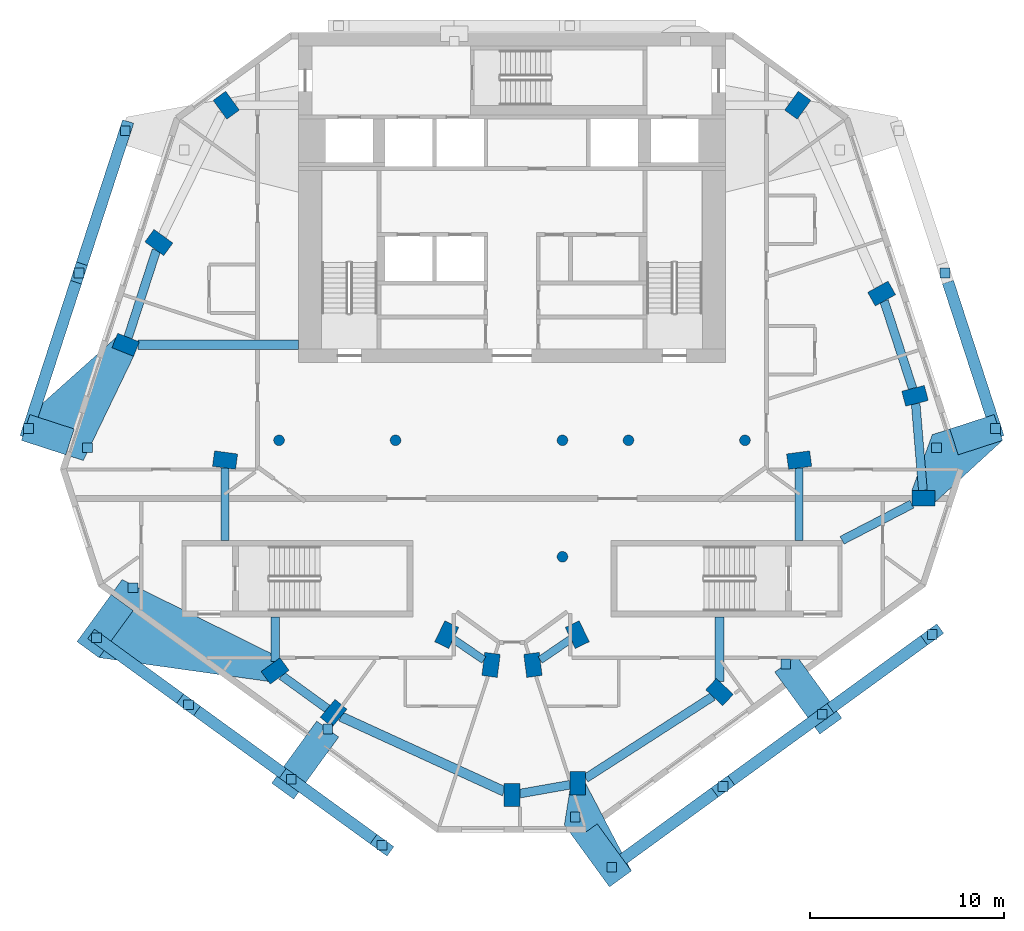
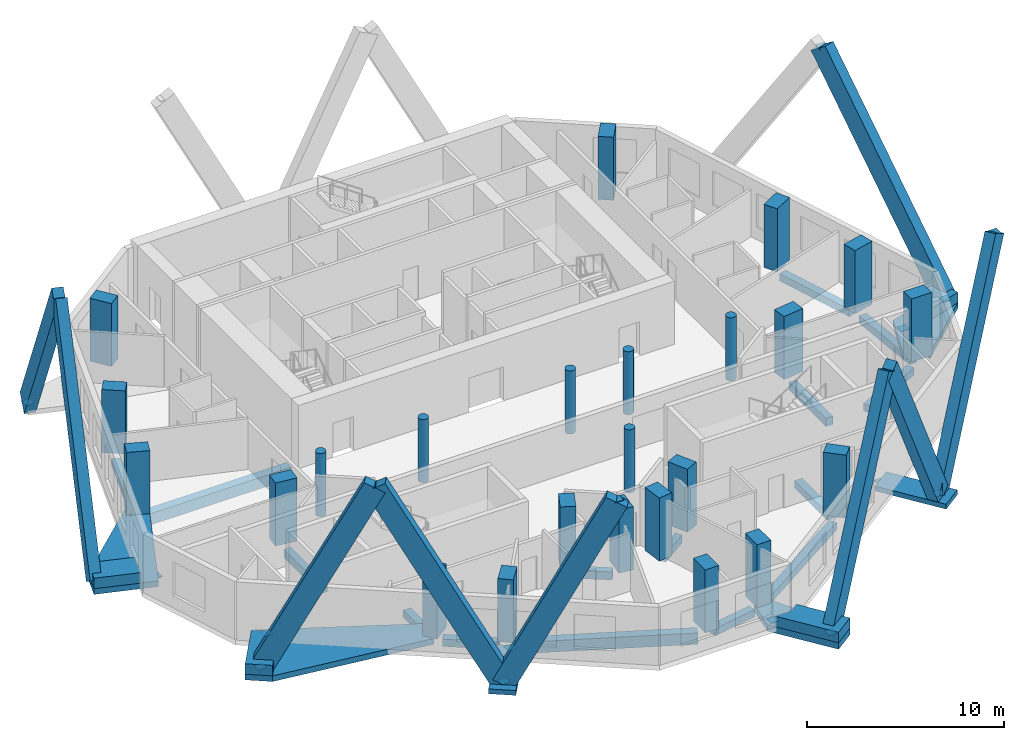
# One storey, part 1 of 9: 24 columns, 19 discrete accessories, 19 members, 15 beams.
"""IFC4 building model written with IfcOpenShell, lengths in metres."""

from ifc_helpers import new_model, si_unit, direction, frame, origin, origin_2d, place, context, subcontext, project, spatial, polyline, rectangle, circle, outline, extrude, material, layer, layer_set, material_profile, profile_set, type_object, element, aggregate, save


model = new_model("IFC4")

# Units and contexts
model_context = context("Model", 3, precision=1e-05, world=origin(), true_north=direction((0.0, 1.0)))
body_context = subcontext(model_context, "Body", "Model", "MODEL_VIEW")
ifc_project = project(units=[si_unit("LENGTHUNIT", "METRE"), si_unit("AREAUNIT", "SQUARE_METRE"), si_unit("VOLUMEUNIT", "CUBIC_METRE"), si_unit("PLANEANGLEUNIT", "RADIAN"), si_unit("MASSUNIT", "GRAM", prefix="KILO")], contexts=[model_context])

# Site, building, storey
site_placement = place(None, origin())
site = spatial("IfcSite", under=ifc_project, at=site_placement, CompositionType="ELEMENT")
building_placement = place(site_placement, origin())
building = spatial("IfcBuilding", under=site, at=building_placement, Name="White Candle Pilgrim Tower", CompositionType="ELEMENT")
storey_placement = place(building_placement, frame((0.0, 0.0, 271.699951171875)))
storey = spatial("IfcBuildingStorey", under=building, at=storey_placement, Name="L64", CompositionType="ELEMENT", Elevation=271.699951171875)

# Columns
ifc_material_1 = material(Name="Concrete C60/75", Category="concrete")
ifc_material_profile_1 = material_profile(ifc_material_1, circle(Radius=0.27490234375, at=origin_2d()), Name="RC-COL D550")
ifc_profile_set_1 = profile_set([ifc_material_profile_1], Name="Concrete C60/75")
column_type_1 = type_object("IfcColumnType", Name="Interior column RC-COL D550 C60/75", PredefinedType="COLUMN", material=ifc_profile_set_1)
for number, where, z_axis, x_axis, name in (
    (1, (58.0, 67.0, 0.0), (0.0, 0.0, 1.0), (1.0, 0.0, 0.0), "L64 column I01"),
    (2, (64.0, 67.0, 0.0), (0.0, 0.0, 1.0), (1.0, 0.0, 0.0), "L64 column I02"),
    (3, (72.60009765625, 61.0, 0.0), (0.0, 0.0, 1.0), (1.0, 0.0, 0.0), "L64 column I03"),
    (4, (72.60009765625, 67.0, 0.0), (0.0, 0.0, 1.0), (1.0, 0.0, 0.0), "L64 column I04"),
    (5, (76.0, 67.0, 0.0), (0.0, 0.0, 1.0), (1.0, 0.0, 0.0), "L64 column I05"),
    (6, (82.0, 67.0, 0.0), (0.0, 0.0, 1.0), (1.0, 0.0, 0.0), "L64 column I06"),
):
    element("IfcColumn", number, at=place(storey_placement, frame(where, z_axis=z_axis, x_axis=x_axis)), inside=storey, type_object=column_type_1, Name=name, PredefinedType="COLUMN", context=body_context, shape_type="SweptSolid", body=[
        extrude(circle(Radius=0.27490234375, at=origin_2d()), origin(), (0.0, 0.0, 1.0), 3.900146484375),
    ])
ifc_material_profile_2 = material_profile(ifc_material_1, rectangle(XDim=0.800048828125, YDim=1.199951171875, at=origin_2d()), Name="RC-PR 800x1200")
ifc_profile_set_2 = profile_set([ifc_material_profile_2], Name="Concrete C60/75")
column_type_2 = type_object("IfcColumnType", Name="Perimeter column RC-PR 800x1200 C60/75", PredefinedType="COLUMN", material=ifc_profile_set_2)
for number, where, z_axis, x_axis, name in (
    (7, (57.800048828125, 55.1201171875, 0.0), (0.0, 0.0, 1.0), (-0.58846280644, 0.808524288711, 0.0), "L64 column T01"),
    (8, (60.81005859375, 52.93994140625, 0.0), (0.0, 0.0, 1.0), (-0.769310358735, 0.638875239733, 0.0), "L64 column T02"),
    (9, (70.0, 48.72998046875, 0.0), (0.0, 0.0, 1.0), (-1.0, 0.0, 0.0), "L64 column T03"),
    (10, (73.389892578125, 49.330078125, 0.0), (0.0, 0.0, 1.0), (-1.0, 0.0, 0.0), "L64 column T04"),
    (11, (80.68994140625, 54.030029296875, 0.0), (0.0, 0.0, 1.0), (-0.681998360062, -0.731353701619, 0.0), "L64 column T05"),
    (12, (91.199951171875, 64.02001953125, 0.0), (0.0, 0.0, 1.0), (0.000855211229, -0.999999634307, 0.0), "L64 column T06"),
    (13, (90.760009765625, 69.2900390625, 0.0), (0.0, 0.0, 1.0), (0.246880623275, -0.969045900797, 0.0), "L64 column T07"),
    (14, (89.0400390625, 74.56005859375, 0.0), (0.0, 0.0, 1.0), (0.484809620246, -0.874619707139, 0.0), "L64 column T08"),
    (15, (84.719970703125, 84.260009765625, 0.0), (0.0, 0.0, 1.0), (0.80902725304, -0.587771132193, 0.0), "L64 column T09"),
    (16, (55.280029296875, 84.260009765625, 0.0), (0.0, 0.0, 1.0), (0.80902725304, 0.587771132193, 0.0), "L64 column T10"),
    (17, (51.81005859375, 77.18994140625, 0.0), (0.0, 0.0, 1.0), (0.587107285614, 0.809509132239, 0.0), "L64 column T11"),
    (18, (50.10009765625, 71.919921875, 0.0), (0.0, 0.0, 1.0), (0.369860269472, 0.929087391512, 0.0), "L64 column T12"),
):
    element("IfcColumn", number, at=place(storey_placement, frame(where, z_axis=z_axis, x_axis=x_axis)), inside=storey, type_object=column_type_2, Name=name, PredefinedType="COLUMN", context=body_context, shape_type="SweptSolid", body=[
        extrude(rectangle(XDim=0.800048828125, YDim=1.199951171875, at=origin_2d()), origin(), (0.0, 0.0, 1.0), 3.900146484375),
    ])
ifc_material_profile_3 = material_profile(ifc_material_1, rectangle(XDim=0.800048828125, YDim=1.199951171875, at=origin_2d()), Name="RC-PR 800x1200")
ifc_profile_set_3 = profile_set([ifc_material_profile_3], Name="Concrete C60/75")
column_type_3 = type_object("IfcColumnType", Name="Ring column RC-PR 800x1200 C60/75", PredefinedType="COLUMN", material=ifc_profile_set_3)
for number, where, z_axis, x_axis, name in (
    (19, (66.639892578125, 56.989990234375, 0.0), (0.0, 0.0, 1.0), (-0.901689191761, 0.43238478403, 0.0), "L64 column R01"),
    (20, (68.919921875, 55.429931640625, 0.0), (0.0, 0.0, 1.0), (-0.992092811428, 0.125506388335, 0.0), "L64 column R02"),
    (21, (71.080078125, 55.429931640625, 0.0), (0.0, 0.0, 1.0), (-0.992092811428, -0.125506388335, 0.0), "L64 column R03"),
    (22, (73.360107421875, 56.989990234375, 0.0), (0.0, 0.0, 1.0), (-0.901689191761, -0.43238478403, 0.0), "L64 column R04"),
    (23, (84.7900390625, 65.97998046875, 0.0), (0.0, 0.0, 1.0), (0.132602381688, -0.991169313675, 0.0), "L64 column R05"),
    (24, (55.219970703125, 65.97998046875, 0.0), (0.0, 0.0, 1.0), (0.132602381688, 0.991169313675, 0.0), "L64 column R06"),
):
    element("IfcColumn", number, at=place(storey_placement, frame(where, z_axis=z_axis, x_axis=x_axis)), inside=storey, type_object=column_type_3, Name=name, PredefinedType="COLUMN", context=body_context, shape_type="SweptSolid", body=[
        extrude(rectangle(XDim=0.800048828125, YDim=1.199951171875, at=origin_2d()), origin(), (0.0, 0.0, 1.0), 3.900146484375),
    ])

# Member
ifc_material_2 = material(Name="Concrete C60/75, white", Category="concrete")
ifc_material_profile_4 = material_profile(ifc_material_2, rectangle(XDim=0.60009765625, YDim=1.199951171875, at=origin_2d()), Name="RC-DG 600x1200")
ifc_profile_set_4 = profile_set([ifc_material_profile_4], Name="Concrete C60/75, white")
member_type_1 = type_object("IfcMemberType", Name="Exoskeleton diagonal RC-DG 600x1200 C60/75", PredefinedType="BRACE", material=ifc_profile_set_4)
member_1_placement = place(storey_placement, frame((94.9072265625, 67.61279296875, 0.0), z_axis=(-0.180464694797, 0.555419311282, 0.811752352991), x_axis=(-0.951057512254, -0.309013929111, 0.0)))
member_1 = element("IfcMember", 25, at=member_1_placement, inside=storey, type_object=member_type_1, Name="Exoskeleton diagonal EX257", PredefinedType="BRACE", context=body_context, shape_type="SweptSolid", body=[
    extrude(rectangle(XDim=0.60009765625, YDim=1.199951171875, at=origin_2d()), origin(), (0.0, 0.0, 1.0), 14.4130859375),
])

member_2_placement = place(storey_placement, frame((75.144775390625, 45.01171875, 0.0), z_axis=(0.418698213465, 0.304194518669, 0.855662024898), x_axis=(-0.587775716914, 0.809023922147, 0.0)))
member_2 = element("IfcMember", 26, at=member_2_placement, inside=storey, type_object=member_type_1, Name="Exoskeleton diagonal EX267", PredefinedType="BRACE", context=body_context, shape_type="SweptSolid", body=[
    extrude(rectangle(XDim=0.60009765625, YDim=1.199951171875, at=origin_2d()), origin(), (0.0, 0.0, 1.0), 13.673583984375),
])

member_3_placement = place(storey_placement, frame((85.982666015625, 52.8857421875, 0.0), z_axis=(-0.384488172771, -0.279342352627, 0.879850382184), x_axis=(0.587778839539, -0.809021653475, 0.0)))
member_3 = element("IfcMember", 27, at=member_3_placement, inside=storey, type_object=member_type_1, Name="Exoskeleton diagonal EX268", PredefinedType="BRACE", context=body_context, shape_type="SweptSolid", body=[
    extrude(rectangle(XDim=0.60009765625, YDim=1.199951171875, at=origin_2d()), origin(), (0.0, 0.0, 1.0), 13.297607421875),
])

member_4_placement = place(storey_placement, frame((85.982666015625, 52.8857421875, 0.0), z_axis=(0.415189633114, 0.301663036715, 0.85826393425), x_axis=(-0.587798147135, 0.809007625566, 0.0)))
member_4 = element("IfcMember", 28, at=member_4_placement, inside=storey, type_object=member_type_1, Name="Exoskeleton diagonal EX269", PredefinedType="BRACE", context=body_context, shape_type="SweptSolid", body=[
    extrude(rectangle(XDim=0.60009765625, YDim=1.199951171875, at=origin_2d()), origin(), (0.0, 0.0, 1.0), 13.632080078125),
])

member_5_placement = place(storey_placement, frame((48.598388671875, 56.822998046875, 0.0), z_axis=(0.362306418006, -0.263236070428, 0.894114551217), x_axis=(0.587792632144, 0.809011632547, 0.0)))
member_5 = element("IfcMember", 29, at=member_5_placement, inside=storey, type_object=member_type_1, Name="Exoskeleton diagonal EX279", PredefinedType="BRACE", context=body_context, shape_type="SweptSolid", body=[
    extrude(rectangle(XDim=0.60009765625, YDim=1.199951171875, at=origin_2d()), origin(), (0.0, 0.0, 1.0), 13.08544921875),
])

member_6_placement = place(storey_placement, frame((58.627197265625, 49.53662109375, 0.0), z_axis=(-0.394560643558, 0.286661724319, 0.873010283081), x_axis=(-0.587780738912, -0.809020273519, 0.0)))
member_6 = element("IfcMember", 30, at=member_6_placement, inside=storey, type_object=member_type_1, Name="Exoskeleton diagonal EX280", PredefinedType="BRACE", context=body_context, shape_type="SweptSolid", body=[
    extrude(rectangle(XDim=0.60009765625, YDim=1.199951171875, at=origin_2d()), origin(), (0.0, 0.0, 1.0), 13.40185546875),
])

member_7_placement = place(storey_placement, frame((58.627197265625, 49.53662109375, 0.0), z_axis=(0.358307544773, -0.260330486922, 0.896573332716), x_axis=(0.587792371604, 0.809011821844, 0.0)))
member_7 = element("IfcMember", 31, at=member_7_placement, inside=storey, type_object=member_type_1, Name="Exoskeleton diagonal EX281", PredefinedType="BRACE", context=body_context, shape_type="SweptSolid", body=[
    extrude(rectangle(XDim=0.60009765625, YDim=1.199951171875, at=origin_2d()), origin(), (0.0, 0.0, 1.0), 13.049560546875),
])

member_8_placement = place(storey_placement, frame((50.073486328125, 82.9423828125, 0.0), z_axis=(-0.169889389564, -0.522897474805, 0.83529385617), x_axis=(0.951062021441, -0.309000050766, 0.0)))
member_8 = element("IfcMember", 32, at=member_8_placement, inside=storey, type_object=member_type_1, Name="Exoskeleton diagonal EX289", PredefinedType="BRACE", context=body_context, shape_type="SweptSolid", body=[
    extrude(rectangle(XDim=0.60009765625, YDim=1.199951171875, at=origin_2d()), origin(), (0.0, 0.0, 1.0), 14.007080078125),
])

member_9_placement = place(storey_placement, frame((45.0927734375, 67.61279296875, 0.0), z_axis=(0.180464694797, 0.555419311282, 0.811752352991), x_axis=(-0.951057512254, 0.309013929111, 0.0)))
member_9 = element("IfcMember", 33, at=member_9_placement, inside=storey, type_object=member_type_1, Name="Exoskeleton diagonal EX290", PredefinedType="BRACE", context=body_context, shape_type="SweptSolid", body=[
    extrude(rectangle(XDim=0.60009765625, YDim=1.199951171875, at=origin_2d()), origin(), (0.0, 0.0, 1.0), 14.4130859375),
])

ifc_material_3 = material(Name="Concrete C70/85, white", Category="concrete")
ifc_layer_1 = layer(ifc_material_3, 0.300048828125)
ifc_layer_set_1 = layer_set([ifc_layer_1], Name="Node tie strut 3350x1400x300 C70/85")
member_type_2 = type_object("IfcMemberType", Name="Node tie strut 3350x1400x300 C70/85", PredefinedType="STRUT", material=ifc_layer_set_1)
member_10_placement = place(storey_placement, frame((0.0, 0.0, -0.349853515625)))
member_10 = element("IfcMember", 34, at=member_10_placement, inside=storey, type_object=member_type_2, Name="Node tie strut NC221", PredefinedType="STRUT", context=body_context, shape_type="SweptSolid", body=[
    extrude(outline(polyline([(91.80029296875, 63.81591796875), (95.26611328125, 66.993408203125), (94.83349609375, 68.32470703125), (91.647705078125, 67.28955078125), (90.599609375, 64.41943359375), (91.7998046875, 64.42041015625), (91.80029296875, 63.81591796875)])), origin(), (0.0, 0.0, 1.0), 0.349853515625),
])

member_11_placement = place(storey_placement, origin())
element("IfcMember", 35, at=member_11_placement, inside=storey, type_object=member_type_2, Name="Node tie strut NC221", PredefinedType="STRUT", context=body_context, shape_type="SweptSolid", body=[
    extrude(outline(polyline([(92.983642578125, 66.251708984375), (95.26611328125, 66.993408203125), (94.83349609375, 68.32470703125), (92.551025390625, 67.5830078125), (92.983642578125, 66.251708984375)])), origin(), (0.0, 0.0, 1.0), 0.650146484375),
])

member_12_placement = place(storey_placement, frame((0.0, 0.0, -0.349853515625)))
member_12 = element("IfcMember", 36, at=member_12_placement, inside=storey, type_object=member_type_2, Name="Node tie strut NC230", PredefinedType="STRUT", context=body_context, shape_type="SweptSolid", body=[
    extrude(outline(polyline([(47.919921875, 65.9580078125), (50.509521484375, 71.326416015625), (49.39453125, 71.770263671875), (49.60400390625, 72.29638671875), (45.16650390625, 68.32470703125), (44.73388671875, 66.993408203125), (47.919921875, 65.9580078125)])), origin(), (0.0, 0.0, 1.0), 0.349853515625),
])

member_13_placement = place(storey_placement, origin())
element("IfcMember", 37, at=member_13_placement, inside=storey, type_object=member_type_2, Name="Node tie strut NC230", PredefinedType="STRUT", context=body_context, shape_type="SweptSolid", body=[
    extrude(outline(polyline([(47.016357421875, 66.251708984375), (47.448974609375, 67.5830078125), (45.16650390625, 68.32470703125), (44.73388671875, 66.993408203125), (47.016357421875, 66.251708984375)])), origin(), (0.0, 0.0, 1.0), 0.650146484375),
])

ifc_layer_2 = layer(ifc_material_3, 0.300048828125)
ifc_layer_set_2 = layer_set([ifc_layer_2], Name="Node tie strut 3950x1400x300 C70/85")
member_type_3 = type_object("IfcMemberType", Name="Node tie strut 3950x1400x300 C70/85", PredefinedType="STRUT", material=ifc_layer_set_2)
member_14_placement = place(storey_placement, frame((0.0, 0.0, -0.39990234375)))
member_14 = element("IfcMember", 38, at=member_14_placement, inside=storey, type_object=member_type_3, Name="Node tie strut NC225", PredefinedType="STRUT", context=body_context, shape_type="SweptSolid", body=[
    extrude(outline(polyline([(75.019287109375, 43.993408203125), (76.15185546875, 44.81640625), (73.7900390625, 49.330078125), (73.7900390625, 48.72998046875), (72.989990234375, 48.72998046875), (72.989990234375, 49.031982421875), (72.697509765625, 47.189208984375), (75.019287109375, 43.993408203125)])), origin(), (0.0, 0.0, 1.0), 0.39990234375),
])

member_15_placement = place(storey_placement, origin())
element("IfcMember", 39, at=member_15_placement, inside=storey, type_object=member_type_3, Name="Node tie strut NC225", PredefinedType="STRUT", context=body_context, shape_type="SweptSolid", body=[
    extrude(outline(polyline([(75.019287109375, 43.993408203125), (76.15185546875, 44.81640625), (74.388427734375, 47.243408203125), (73.83544921875, 46.841552734375), (72.949951171875, 46.841552734375), (75.019287109375, 43.993408203125)])), origin(), (0.0, 0.0, 1.0), 0.650146484375),
])

member_16_placement = place(storey_placement, frame((85.262451171875, 53.876708984375, -0.2998046875), z_axis=(0.0, 0.0, 1.0), x_axis=(0.809016994375, 0.587785252292, 0.0)))
member_16 = element("IfcMember", 40, at=member_16_placement, inside=storey, type_object=member_type_3, Name="Node tie strut NC226", PredefinedType="STRUT", context=body_context, shape_type="SweptSolid", body=[
    extrude(rectangle(XDim=1.39990234375, YDim=3.949951171875, at=origin_2d()), origin(), (0.0, 0.0, 1.0), 0.300048828125),
])

member_17_placement = place(storey_placement, frame((0.0, 0.0, -0.349853515625)))
member_17 = element("IfcMember", 41, at=member_17_placement, inside=storey, type_object=member_type_3, Name="Node tie strut NC227", PredefinedType="STRUT", context=body_context, shape_type="SweptSolid", body=[
    extrude(outline(polyline([(57.451171875, 54.57958984375), (57.07958984375, 55.09033203125), (58.0498046875, 55.79638671875), (49.9130859375, 59.8232421875), (47.59130859375, 56.62744140625), (48.723876953125, 55.8046875), (57.451171875, 54.57958984375)])), origin(), (0.0, 0.0, 1.0), 0.349853515625),
])

member_18_placement = place(storey_placement, origin())
element("IfcMember", 42, at=member_18_placement, inside=storey, type_object=member_type_3, Name="Node tie strut NC227", PredefinedType="STRUT", context=body_context, shape_type="SweptSolid", body=[
    extrude(outline(polyline([(48.723876953125, 55.8046875), (50.4873046875, 58.231689453125), (49.354736328125, 59.0546875), (47.59130859375, 56.62744140625), (48.723876953125, 55.8046875)])), origin(), (0.0, 0.0, 1.0), 0.650146484375),
])

member_19_placement = place(storey_placement, frame((59.347412109375, 50.527587890625, -0.2998046875), z_axis=(0.0, 0.0, 1.0), x_axis=(0.809016994375, -0.587785252292, 0.0)))
member_19 = element("IfcMember", 43, at=member_19_placement, inside=storey, type_object=member_type_3, Name="Node tie strut NC228", PredefinedType="STRUT", context=body_context, shape_type="SweptSolid", body=[
    extrude(rectangle(XDim=1.39990234375, YDim=3.949951171875, at=origin_2d()), origin(), (0.0, 0.0, 1.0), 0.300048828125),
])

# Beams
ifc_material_4 = material(Name="Concrete C50/60", Category="concrete")
ifc_material_profile_5 = material_profile(ifc_material_4, rectangle(XDim=0.39990234375, YDim=0.5, at=origin_2d()), Name="RC-BM 400x500")
ifc_profile_set_5 = profile_set([ifc_material_profile_5], Name="Concrete C50/60")
beam_type_1 = type_object("IfcBeamType", Name="Ring beam RC-BM 400x500 C50/60", PredefinedType="BEAM", material=ifc_profile_set_5)
for number, where, z_axis, x_axis, name in (
    (44, (66.97412109375, 56.761474609375, -0.550048828125), (0.825257044892, -0.564757301729, 0.0), (0.564757301729, 0.825257044892, 0.0), "L64 ring beam R01"),
    (45, (71.451171875, 55.683837890625, -0.550048828125), (0.825257044892, 0.564757301729, 0.0), (-0.564757301729, 0.825257044892, 0.0), "L64 ring beam R02"),
):
    element("IfcBeam", number, at=place(storey_placement, frame(where, z_axis=z_axis, x_axis=x_axis)), inside=storey, type_object=beam_type_1, Name=name, PredefinedType="BEAM", context=body_context, shape_type="SweptSolid", body=[
        extrude(rectangle(XDim=0.39990234375, YDim=0.5, at=origin_2d()), origin(), (0.0, 0.0, 1.0), 1.908203125),
    ])
for number, where, z_axis, x_axis, name in (
    (46, (84.7900390625, 65.576416015625, -0.550048828125), (0.0, -1.0, 0.0), (1.0, 0.0, 0.0), "L64 ring beam R03"),
    (47, (55.219970703125, 65.576416015625, -0.550048828125), (0.0, -1.0, 0.0), (1.0, 0.0, 0.0), "L64 ring beam R04"),
):
    element("IfcBeam", number, at=place(storey_placement, frame(where, z_axis=z_axis, x_axis=x_axis)), inside=storey, type_object=beam_type_1, Name=name, PredefinedType="BEAM", context=body_context, shape_type="SweptSolid", body=[
        extrude(rectangle(XDim=0.39990234375, YDim=0.5, at=origin_2d()), origin(), (0.0, 0.0, 1.0), 3.726318359375),
    ])
ifc_material_profile_6 = material_profile(ifc_material_4, rectangle(XDim=0.449951171875, YDim=0.449951171875, at=origin_2d()), Name="RC-BM 450x450")
ifc_profile_set_6 = profile_set([ifc_material_profile_6], Name="Concrete C50/60")
beam_type_2 = type_object("IfcBeamType", Name="Spandrel beam RC-BM 450x450 C50/60", PredefinedType="BEAM", material=ifc_profile_set_6)
beam_1_placement = place(storey_placement, frame((58.140625, 54.873291015625, -0.52490234375), z_axis=(0.809886863982, -0.586586112647, 0.0), x_axis=(0.586586112647, 0.809886863982, 0.0)))
element("IfcBeam", 48, at=beam_1_placement, inside=storey, type_object=beam_type_2, Name="L64 spandrel beam T01", PredefinedType="BEAM", context=body_context, shape_type="SweptSolid", body=[
    extrude(rectangle(XDim=0.449951171875, YDim=0.449951171875, at=origin_2d()), origin(), (0.0, 0.0, 1.0), 2.89501953125),
])
beam_2_placement = place(storey_placement, frame((70.39990234375, 48.80078125, -0.52490234375), z_axis=(0.984690914207, 0.174309504843, 0.0), x_axis=(-0.174309504843, 0.984690914207, 0.0)))
element("IfcBeam", 49, at=beam_2_placement, inside=storey, type_object=beam_type_2, Name="L64 spandrel beam T03", PredefinedType="BEAM", context=body_context, shape_type="SweptSolid", body=[
    extrude(rectangle(XDim=0.449951171875, YDim=0.449951171875, at=origin_2d()), origin(), (0.0, 0.0, 1.0), 2.63037109375),
])
beam_3_placement = place(storey_placement, frame((73.7900390625, 49.58740234375, -0.52490234375), z_axis=(0.840792523654, 0.541357490175, 0.0), x_axis=(-0.541357490175, 0.840792523654, 0.0)))
element("IfcBeam", 50, at=beam_3_placement, inside=storey, type_object=beam_type_2, Name="L64 spandrel beam T04", PredefinedType="BEAM", context=body_context, shape_type="SweptSolid", body=[
    extrude(rectangle(XDim=0.449951171875, YDim=0.449951171875, at=origin_2d()), origin(), (0.0, 0.0, 1.0), 7.793701171875),
])
beam_4_placement = place(storey_placement, frame((80.68994140625, 54.576904296875, -0.52490234375), z_axis=(0.0, 1.0, 0.0), x_axis=(-1.0, 0.0, 0.0)))
element("IfcBeam", 51, at=beam_4_placement, inside=storey, type_object=beam_type_2, Name="L64 spandrel beam T05", PredefinedType="BEAM", context=body_context, shape_type="SweptSolid", body=[
    extrude(rectangle(XDim=0.449951171875, YDim=0.449951171875, at=origin_2d()), origin(), (0.0, 0.0, 1.0), 3.322998046875),
])
beam_5_placement = place(storey_placement, frame((90.600341796875, 63.710205078125, -0.52490234375), z_axis=(-0.888432867753, -0.459006578925, 0.0), x_axis=(0.459006578925, -0.888432867753, 0.0)))
element("IfcBeam", 52, at=beam_5_placement, inside=storey, type_object=beam_type_2, Name="L64 spandrel beam T06", PredefinedType="BEAM", context=body_context, shape_type="SweptSolid", body=[
    extrude(rectangle(XDim=0.449951171875, YDim=0.449951171875, at=origin_2d()), origin(), (0.0, 0.0, 1.0), 4.052490234375),
])
beam_6_placement = place(storey_placement, frame((91.16650390625, 64.419921875, -0.52490234375), z_axis=(-0.083189754962, 0.996533724803, 0.0), x_axis=(-0.996533724803, -0.083189754962, 0.0)))
element("IfcBeam", 53, at=beam_6_placement, inside=storey, type_object=beam_type_2, Name="L64 spandrel beam T07", PredefinedType="BEAM", context=body_context, shape_type="SweptSolid", body=[
    extrude(rectangle(XDim=0.449951171875, YDim=0.449951171875, at=origin_2d()), origin(), (0.0, 0.0, 1.0), 4.4814453125),
])
beam_7_placement = place(storey_placement, frame((90.635498046875, 69.671142578125, -0.52490234375), z_axis=(-0.310235376741, 0.950659776691, 0.0), x_axis=(-0.950659776691, -0.310235376741, 0.0)))
element("IfcBeam", 54, at=beam_7_placement, inside=storey, type_object=beam_type_2, Name="L64 spandrel beam T08", PredefinedType="BEAM", context=body_context, shape_type="SweptSolid", body=[
    extrude(rectangle(XDim=0.449951171875, YDim=0.449951171875, at=origin_2d()), origin(), (0.0, 0.0, 1.0), 4.735107421875),
])
beam_8_placement = place(storey_placement, frame((51.68017578125, 76.7900390625, -0.52490234375), z_axis=(-0.308643859688, -0.95117767419, 0.0), x_axis=(0.95117767419, -0.308643859688, 0.0)))
element("IfcBeam", 55, at=beam_8_placement, inside=storey, type_object=beam_type_2, Name="L64 spandrel beam T13", PredefinedType="BEAM", context=body_context, shape_type="SweptSolid", body=[
    extrude(rectangle(XDim=0.449951171875, YDim=0.449951171875, at=origin_2d()), origin(), (0.0, 0.0, 1.0), 4.71923828125),
])
beam_9_placement = place(storey_placement, frame((57.800048828125, 55.61474609375, -0.52490234375), z_axis=(0.0, 1.0, 0.0), x_axis=(-1.0, 0.0, 0.0)))
element("IfcBeam", 56, at=beam_9_placement, inside=storey, type_object=beam_type_2, Name="L64 spandrel beam T15", PredefinedType="BEAM", context=body_context, shape_type="SweptSolid", body=[
    extrude(rectangle(XDim=0.449951171875, YDim=0.449951171875, at=origin_2d()), origin(), (0.0, 0.0, 1.0), 2.28515625),
])
ifc_material_profile_7 = material_profile(ifc_material_4, rectangle(XDim=0.5, YDim=0.699951171875, at=origin_2d()), Name="RC-BM 500x700")
ifc_profile_set_7 = profile_set([ifc_material_profile_7], Name="Concrete C50/60")
beam_type_3 = type_object("IfcBeamType", Name="Spandrel beam RC-BM 500x700 C50/60", PredefinedType="BEAM", material=ifc_profile_set_7)
beam_10_placement = place(storey_placement, frame((61.186767578125, 52.767578125, -0.64990234375), z_axis=(0.90913101106, -0.416510269656, 0.0), x_axis=(0.416510269656, 0.90913101106, 0.0)))
element("IfcBeam", 57, at=beam_10_placement, inside=storey, type_object=beam_type_3, Name="L64 spandrel beam T02", PredefinedType="BEAM", context=body_context, shape_type="SweptSolid", body=[
    extrude(rectangle(XDim=0.5, YDim=0.699951171875, at=origin_2d()), origin(), (0.0, 0.0, 1.0), 9.254150390625),
])
beam_11_placement = place(storey_placement, frame((50.745849609375, 71.919921875, -0.64990234375), z_axis=(1.0, 0.0, 0.0), x_axis=(0.0, 1.0, 0.0)))
element("IfcBeam", 58, at=beam_11_placement, inside=storey, type_object=beam_type_3, Name="L64 spandrel beam T14", PredefinedType="BEAM", context=body_context, shape_type="SweptSolid", body=[
    extrude(rectangle(XDim=0.5, YDim=0.699951171875, at=origin_2d()), origin(), (0.0, 0.0, 1.0), 8.254150390625),
])

# Discrete accessory
ifc_material_5 = material(Name="Steel S355", Category="steel")
ifc_layer_3 = layer(ifc_material_5, 0.02490234375)
ifc_layer_set_3 = layer_set([ifc_layer_3], Name="Gusset plate 500x500x25 S355")
discrete_accessory_type = type_object("IfcDiscreteAccessoryType", Name="Gusset plate 500x500x25 S355", PredefinedType="BRACKET", material=ifc_layer_set_3)
discrete_accessory_1_placement = place(storey_placement, frame((94.9072265625, 67.61279296875, -0.012451171875), z_axis=(0.0, 0.0, 1.0), x_axis=(1.0, 0.0, 0.0)))
discrete_accessory_1 = element("IfcDiscreteAccessory", 59, at=discrete_accessory_1_placement, type_object=discrete_accessory_type, Name="Gusset plate 0297", PredefinedType="BRACKET", context=body_context, shape_type="SweptSolid", body=[
    extrude(rectangle(XDim=0.5, YDim=0.5, at=origin_2d()), origin(), (0.0, 0.0, 1.0), 0.02490234375),
])

placement = place(building_placement, frame((0.0, 0.0, 283.39990234375)))
discrete_accessory_2_placement = place(placement, frame((92.30615234375, 75.6181640625, -0.012451171875), z_axis=(0.0, 0.0, 1.0), x_axis=(1.0, 0.0, 0.0)))
discrete_accessory_2 = element("IfcDiscreteAccessory", 60, at=discrete_accessory_2_placement, type_object=discrete_accessory_type, Name="Gusset plate 0298", PredefinedType="BRACKET", context=body_context, shape_type="SweptSolid", body=[
    extrude(rectangle(XDim=0.5, YDim=0.5, at=origin_2d()), origin(), (0.0, 0.0, 1.0), 0.02490234375),
])

aggregate(member_1, [discrete_accessory_1, discrete_accessory_2])

discrete_accessory_3_placement = place(storey_placement, frame((75.144775390625, 45.01171875, -0.012451171875), z_axis=(0.0, 0.0, 1.0), x_axis=(1.0, 0.0, 0.0)))
discrete_accessory_3 = element("IfcDiscreteAccessory", 61, at=discrete_accessory_3_placement, type_object=discrete_accessory_type, Name="Gusset plate 0311", PredefinedType="BRACKET", context=body_context, shape_type="SweptSolid", body=[
    extrude(rectangle(XDim=0.5, YDim=0.5, at=origin_2d()), origin(), (0.0, 0.0, 1.0), 0.02490234375),
])

discrete_accessory_4_placement = place(placement, frame((80.869873046875, 49.171142578125, -0.012451171875), z_axis=(0.0, 0.0, 1.0), x_axis=(1.0, 0.0, 0.0)))
discrete_accessory_4 = element("IfcDiscreteAccessory", 62, at=discrete_accessory_4_placement, type_object=discrete_accessory_type, Name="Gusset plate 0312", PredefinedType="BRACKET", context=body_context, shape_type="SweptSolid", body=[
    extrude(rectangle(XDim=0.5, YDim=0.5, at=origin_2d()), origin(), (0.0, 0.0, 1.0), 0.02490234375),
])

aggregate(member_2, [discrete_accessory_3, discrete_accessory_4])

discrete_accessory_5_placement = place(storey_placement, frame((85.982666015625, 52.8857421875, -0.012451171875), z_axis=(0.0, 0.0, 1.0), x_axis=(1.0, 0.0, 0.0)))
discrete_accessory_5 = element("IfcDiscreteAccessory", 63, at=discrete_accessory_5_placement, type_object=discrete_accessory_type, Name="Gusset plate 0313", PredefinedType="BRACKET", context=body_context, shape_type="SweptSolid", body=[
    extrude(rectangle(XDim=0.5, YDim=0.5, at=origin_2d()), origin(), (0.0, 0.0, 1.0), 0.02490234375),
])

aggregate(member_3, [discrete_accessory_5])

discrete_accessory_6_placement = place(placement, frame((91.642578125, 56.998046875, -0.012451171875), z_axis=(0.0, 0.0, 1.0), x_axis=(1.0, 0.0, 0.0)))
discrete_accessory_6 = element("IfcDiscreteAccessory", 64, at=discrete_accessory_6_placement, type_object=discrete_accessory_type, Name="Gusset plate 0314", PredefinedType="BRACKET", context=body_context, shape_type="SweptSolid", body=[
    extrude(rectangle(XDim=0.5, YDim=0.5, at=origin_2d()), origin(), (0.0, 0.0, 1.0), 0.02490234375),
])

aggregate(member_4, [discrete_accessory_6])

discrete_accessory_7_placement = place(storey_placement, frame((48.598388671875, 56.822998046875, -0.012451171875), z_axis=(0.0, 0.0, 1.0), x_axis=(1.0, 0.0, 0.0)))
discrete_accessory_7 = element("IfcDiscreteAccessory", 65, at=discrete_accessory_7_placement, type_object=discrete_accessory_type, Name="Gusset plate 0328", PredefinedType="BRACKET", context=body_context, shape_type="SweptSolid", body=[
    extrude(rectangle(XDim=0.5, YDim=0.5, at=origin_2d()), origin(), (0.0, 0.0, 1.0), 0.02490234375),
])

discrete_accessory_8_placement = place(placement, frame((53.33935546875, 53.37841796875, -0.012451171875), z_axis=(0.0, 0.0, 1.0), x_axis=(1.0, 0.0, 0.0)))
discrete_accessory_8 = element("IfcDiscreteAccessory", 66, at=discrete_accessory_8_placement, type_object=discrete_accessory_type, Name="Gusset plate 0329", PredefinedType="BRACKET", context=body_context, shape_type="SweptSolid", body=[
    extrude(rectangle(XDim=0.5, YDim=0.5, at=origin_2d()), origin(), (0.0, 0.0, 1.0), 0.02490234375),
])

aggregate(member_5, [discrete_accessory_7, discrete_accessory_8])

discrete_accessory_9_placement = place(storey_placement, frame((58.627197265625, 49.53662109375, -0.012451171875), z_axis=(0.0, 0.0, 1.0), x_axis=(1.0, 0.0, 0.0)))
discrete_accessory_9 = element("IfcDiscreteAccessory", 67, at=discrete_accessory_9_placement, type_object=discrete_accessory_type, Name="Gusset plate 0330", PredefinedType="BRACKET", context=body_context, shape_type="SweptSolid", body=[
    extrude(rectangle(XDim=0.5, YDim=0.5, at=origin_2d()), origin(), (0.0, 0.0, 1.0), 0.02490234375),
])

aggregate(member_6, [discrete_accessory_9])

discrete_accessory_10_placement = place(placement, frame((63.302978515625, 46.139404296875, -0.012451171875), z_axis=(0.0, 0.0, 1.0), x_axis=(1.0, 0.0, 0.0)))
discrete_accessory_10 = element("IfcDiscreteAccessory", 68, at=discrete_accessory_10_placement, type_object=discrete_accessory_type, Name="Gusset plate 0331", PredefinedType="BRACKET", context=body_context, shape_type="SweptSolid", body=[
    extrude(rectangle(XDim=0.5, YDim=0.5, at=origin_2d()), origin(), (0.0, 0.0, 1.0), 0.02490234375),
])

aggregate(member_7, [discrete_accessory_10])

discrete_accessory_11_placement = place(storey_placement, frame((50.073486328125, 82.9423828125, -0.012451171875), z_axis=(0.0, 0.0, 1.0), x_axis=(1.0, 0.0, 0.0)))
discrete_accessory_11 = element("IfcDiscreteAccessory", 69, at=discrete_accessory_11_placement, type_object=discrete_accessory_type, Name="Gusset plate 0342", PredefinedType="BRACKET", context=body_context, shape_type="SweptSolid", body=[
    extrude(rectangle(XDim=0.5, YDim=0.5, at=origin_2d()), origin(), (0.0, 0.0, 1.0), 0.02490234375),
])

discrete_accessory_12_placement = place(placement, frame((47.69384765625, 75.6181640625, -0.012451171875), z_axis=(0.0, 0.0, 1.0), x_axis=(1.0, 0.0, 0.0)))
discrete_accessory_12 = element("IfcDiscreteAccessory", 70, at=discrete_accessory_12_placement, type_object=discrete_accessory_type, Name="Gusset plate 0343", PredefinedType="BRACKET", context=body_context, shape_type="SweptSolid", body=[
    extrude(rectangle(XDim=0.5, YDim=0.5, at=origin_2d()), origin(), (0.0, 0.0, 1.0), 0.02490234375),
])

aggregate(member_8, [discrete_accessory_11, discrete_accessory_12])

discrete_accessory_13_placement = place(storey_placement, frame((45.0927734375, 67.61279296875, -0.012451171875), z_axis=(0.0, 0.0, 1.0), x_axis=(1.0, 0.0, 0.0)))
discrete_accessory_13 = element("IfcDiscreteAccessory", 71, at=discrete_accessory_13_placement, type_object=discrete_accessory_type, Name="Gusset plate 0344", PredefinedType="BRACKET", context=body_context, shape_type="SweptSolid", body=[
    extrude(rectangle(XDim=0.5, YDim=0.5, at=origin_2d()), origin(), (0.0, 0.0, 1.0), 0.02490234375),
])

aggregate(member_9, [discrete_accessory_13])

discrete_accessory_14_placement = place(storey_placement, frame((91.864013671875, 66.623779296875, -0.162353515625), z_axis=(0.0, 0.0, 1.0), x_axis=(1.0, 0.0, 0.0)))
discrete_accessory_14 = element("IfcDiscreteAccessory", 72, at=discrete_accessory_14_placement, type_object=discrete_accessory_type, Name="Gusset plate 0602", PredefinedType="BRACKET", context=body_context, shape_type="SweptSolid", body=[
    extrude(rectangle(XDim=0.5, YDim=0.5, at=origin_2d()), origin(), (0.0, 0.0, 1.0), 0.02490234375),
])

aggregate(member_10, [discrete_accessory_14])

discrete_accessory_15_placement = place(storey_placement, frame((73.263916015625, 47.6005859375, -0.162353515625), z_axis=(0.0, 0.0, 1.0), x_axis=(1.0, 0.0, 0.0)))
discrete_accessory_15 = element("IfcDiscreteAccessory", 73, at=discrete_accessory_15_placement, type_object=discrete_accessory_type, Name="Gusset plate 0606", PredefinedType="BRACKET", context=body_context, shape_type="SweptSolid", body=[
    extrude(rectangle(XDim=0.5, YDim=0.5, at=origin_2d()), origin(), (0.0, 0.0, 1.0), 0.02490234375),
])

aggregate(member_14, [discrete_accessory_15])

discrete_accessory_16_placement = place(storey_placement, frame((84.1015625, 55.474609375, -0.162353515625), z_axis=(0.0, 0.0, 1.0), x_axis=(1.0, 0.0, 0.0)))
discrete_accessory_16 = element("IfcDiscreteAccessory", 74, at=discrete_accessory_16_placement, type_object=discrete_accessory_type, Name="Gusset plate 0607", PredefinedType="BRACKET", context=body_context, shape_type="SweptSolid", body=[
    extrude(rectangle(XDim=0.5, YDim=0.5, at=origin_2d()), origin(), (0.0, 0.0, 1.0), 0.02490234375),
])

aggregate(member_16, [discrete_accessory_16])

discrete_accessory_17_placement = place(storey_placement, frame((50.4794921875, 59.41162109375, -0.162353515625), z_axis=(0.0, 0.0, 1.0), x_axis=(1.0, 0.0, 0.0)))
discrete_accessory_17 = element("IfcDiscreteAccessory", 75, at=discrete_accessory_17_placement, type_object=discrete_accessory_type, Name="Gusset plate 0608", PredefinedType="BRACKET", context=body_context, shape_type="SweptSolid", body=[
    extrude(rectangle(XDim=0.5, YDim=0.5, at=origin_2d()), origin(), (0.0, 0.0, 1.0), 0.02490234375),
])

aggregate(member_17, [discrete_accessory_17])

discrete_accessory_18_placement = place(storey_placement, frame((60.50830078125, 52.125244140625, -0.162353515625), z_axis=(0.0, 0.0, 1.0), x_axis=(1.0, 0.0, 0.0)))
discrete_accessory_18 = element("IfcDiscreteAccessory", 76, at=discrete_accessory_18_placement, type_object=discrete_accessory_type, Name="Gusset plate 0609", PredefinedType="BRACKET", context=body_context, shape_type="SweptSolid", body=[
    extrude(rectangle(XDim=0.5, YDim=0.5, at=origin_2d()), origin(), (0.0, 0.0, 1.0), 0.02490234375),
])

aggregate(member_19, [discrete_accessory_18])

discrete_accessory_19_placement = place(storey_placement, frame((48.135986328125, 66.623779296875, -0.162353515625), z_axis=(0.0, 0.0, 1.0), x_axis=(1.0, 0.0, 0.0)))
discrete_accessory_19 = element("IfcDiscreteAccessory", 77, at=discrete_accessory_19_placement, type_object=discrete_accessory_type, Name="Gusset plate 0611", PredefinedType="BRACKET", context=body_context, shape_type="SweptSolid", body=[
    extrude(rectangle(XDim=0.5, YDim=0.5, at=origin_2d()), origin(), (0.0, 0.0, 1.0), 0.02490234375),
])

aggregate(member_12, [discrete_accessory_19])

save(model, "model.ifc")
